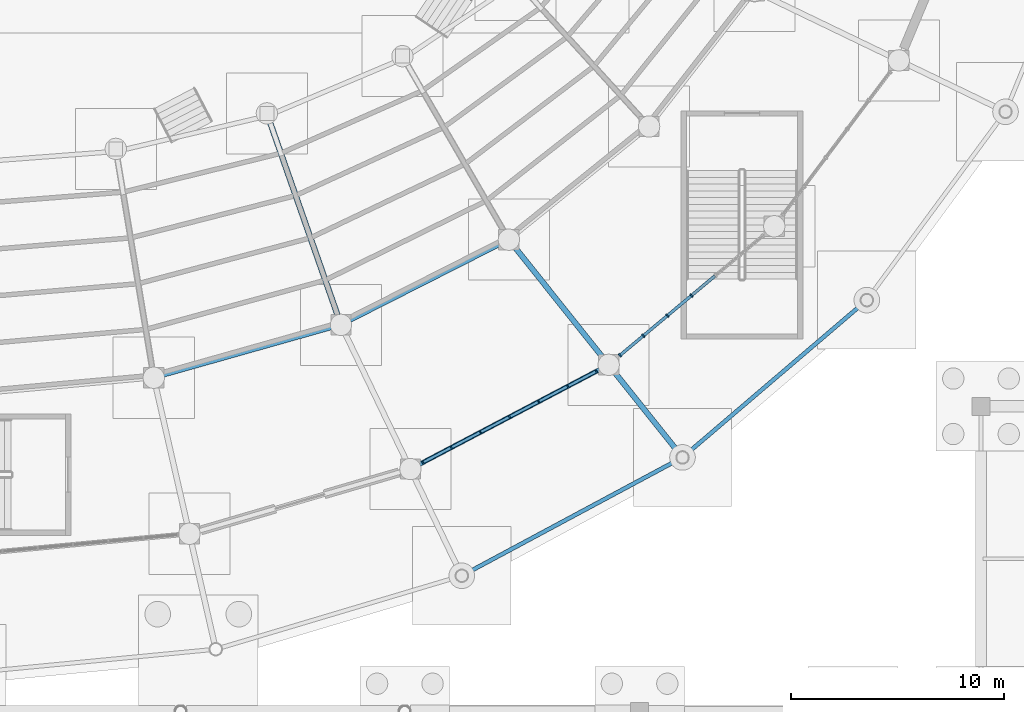
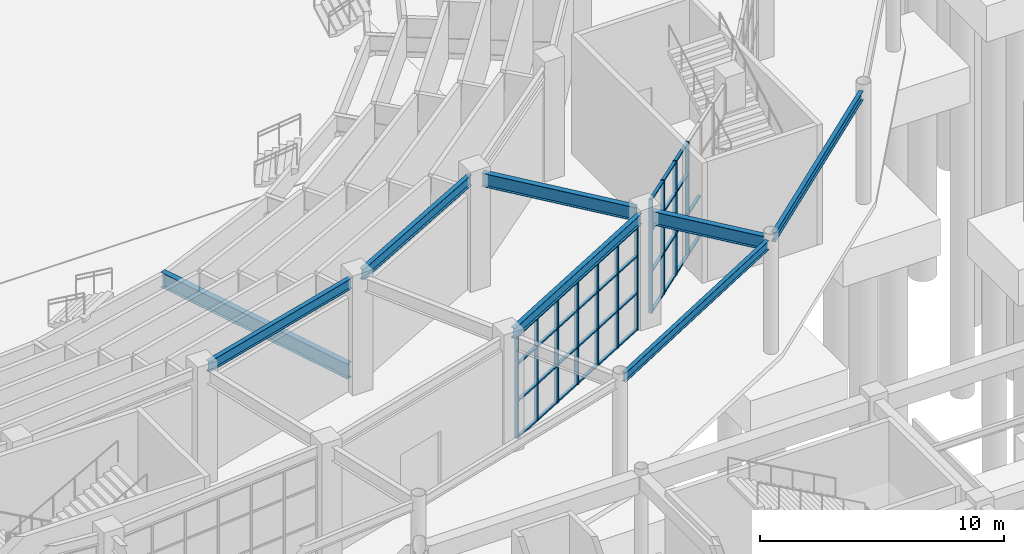
# One storey, part 35 of 121: 49 members, 8 beams, 2 elements without a shape of their own.
"""IFC4 building model written with IfcOpenShell, lengths in metres."""

from ifc_helpers import new_model, si_unit, direction, frame, origin, origin_2d, place, context, subcontext, project, spatial, rectangle, i_section, extrude, material, material_profile, profile_set, type_object, element, aggregate, save


model = new_model("IFC4")

# Units and contexts
model_context = context("Model", 3, precision=1e-05, world=origin(), true_north=direction((0.0, 1.0)))
body_context = subcontext(model_context, "Body", "Model", "MODEL_VIEW")
ifc_project = project(units=[si_unit("LENGTHUNIT", "METRE"), si_unit("AREAUNIT", "SQUARE_METRE"), si_unit("VOLUMEUNIT", "CUBIC_METRE"), si_unit("PLANEANGLEUNIT", "RADIAN"), si_unit("MASSUNIT", "GRAM", prefix="KILO")], contexts=[model_context])

# Site, building, storey
site_placement = place(None, origin())
site = spatial("IfcSite", under=ifc_project, at=site_placement, CompositionType="ELEMENT")
building_placement = place(site_placement, origin())
building = spatial("IfcBuilding", under=site, at=building_placement, Name="Cuetzalor Civic Arena", CompositionType="ELEMENT")
storey_placement = place(building_placement, origin())
storey = spatial("IfcBuildingStorey", under=building, at=storey_placement, Name="L00", CompositionType="ELEMENT", Elevation=0.0)

# Curtain wall, members
ifc_material_1 = material(Name="Anodised dark bronze aluminium and low-E solar glass", Category="aluminium")
curtain_wall_type_1 = type_object("IfcCurtainWallType", Name="UnitisedCW_9250x5150", PredefinedType="USERDEFINED", material=ifc_material_1)
curtain_wall_1_placement = place(storey_placement, origin())
curtain_wall_1 = element("IfcCurtainWall", 1, at=curtain_wall_1_placement, inside=storey, type_object=curtain_wall_type_1, Name="Drum Ground Recessed Concourse Curtain Wall L00-017", ObjectType="UNITISED CURTAIN WALL", PredefinedType="USERDEFINED")
ifc_material_2 = material(Name="Anodised dark bronze aluminium", Category="aluminium")
ifc_material_profile_1 = material_profile(ifc_material_2, rectangle(XDim=0.070068359375, YDim=0.179931640625, at=origin_2d()), Name="ALU MULLION 70x180")
ifc_profile_set_1 = profile_set([ifc_material_profile_1], Name="Anodised dark bronze aluminium")
member_type_1 = type_object("IfcMemberType", Name="CurtainWallMullion_65x180", PredefinedType="MULLION", material=ifc_profile_set_1)
member_1_placement = place(storey_placement, frame((29.968017578125, -32.361572265625, 0.0), z_axis=(0.0, 0.0, 1.0), x_axis=(-0.885118421147, -0.465365856662, 0.0)))
member_1 = element("IfcMember", 2, at=member_1_placement, type_object=member_type_1, Name="CW-04 mullion 1", PredefinedType="MULLION", context=body_context, shape_type="SweptSolid", body=[
    extrude(rectangle(XDim=0.070068359375, YDim=0.179931640625, at=origin_2d()), origin(), (0.0, 0.0, 1.0), 5.156982421875),
])
member_2_placement = place(storey_placement, frame((28.634521484375, -33.0625, 0.0), z_axis=(0.0, 0.0, 1.0), x_axis=(-0.885118421147, -0.465365856662, 0.0)))
member_2 = element("IfcMember", 3, at=member_2_placement, type_object=member_type_1, Name="CW-04 mullion 2", PredefinedType="MULLION", context=body_context, shape_type="SweptSolid", body=[
    extrude(rectangle(XDim=0.070068359375, YDim=0.179931640625, at=origin_2d()), origin(), (0.0, 0.0, 1.0), 5.156982421875),
])
member_3_placement = place(storey_placement, frame((27.27001953125, -33.780029296875, 0.0), z_axis=(0.0, 0.0, 1.0), x_axis=(-0.885118421147, -0.465365856662, 0.0)))
member_3 = element("IfcMember", 4, at=member_3_placement, type_object=member_type_1, Name="CW-04 mullion 3", PredefinedType="MULLION", context=body_context, shape_type="SweptSolid", body=[
    extrude(rectangle(XDim=0.070068359375, YDim=0.179931640625, at=origin_2d()), origin(), (0.0, 0.0, 1.0), 5.156982421875),
])
member_4_placement = place(storey_placement, frame((25.90576171875, -34.497314453125, 0.0), z_axis=(0.0, 0.0, 1.0), x_axis=(-0.885118421147, -0.465365856662, 0.0)))
member_4 = element("IfcMember", 5, at=member_4_placement, type_object=member_type_1, Name="CW-04 mullion 4", PredefinedType="MULLION", context=body_context, shape_type="SweptSolid", body=[
    extrude(rectangle(XDim=0.070068359375, YDim=0.179931640625, at=origin_2d()), origin(), (0.0, 0.0, 1.0), 5.156982421875),
])
member_5_placement = place(storey_placement, frame((24.541259765625, -35.21484375, 0.0), z_axis=(0.0, 0.0, 1.0), x_axis=(-0.885118421147, -0.465365856662, 0.0)))
member_5 = element("IfcMember", 6, at=member_5_placement, type_object=member_type_1, Name="CW-04 mullion 5", PredefinedType="MULLION", context=body_context, shape_type="SweptSolid", body=[
    extrude(rectangle(XDim=0.070068359375, YDim=0.179931640625, at=origin_2d()), origin(), (0.0, 0.0, 1.0), 5.156982421875),
])
member_6_placement = place(storey_placement, frame((23.1767578125, -35.93212890625, 0.0), z_axis=(0.0, 0.0, 1.0), x_axis=(-0.885118421147, -0.465365856662, 0.0)))
member_6 = element("IfcMember", 7, at=member_6_placement, type_object=member_type_1, Name="CW-04 mullion 6", PredefinedType="MULLION", context=body_context, shape_type="SweptSolid", body=[
    extrude(rectangle(XDim=0.070068359375, YDim=0.179931640625, at=origin_2d()), origin(), (0.0, 0.0, 1.0), 5.156982421875),
])
member_7_placement = place(storey_placement, frame((21.84326171875, -36.63330078125, 0.0), z_axis=(0.0, 0.0, 1.0), x_axis=(-0.885118421147, -0.465365856662, 0.0)))
member_7 = element("IfcMember", 8, at=member_7_placement, type_object=member_type_1, Name="CW-04 mullion 7", PredefinedType="MULLION", context=body_context, shape_type="SweptSolid", body=[
    extrude(rectangle(XDim=0.070068359375, YDim=0.179931640625, at=origin_2d()), origin(), (0.0, 0.0, 1.0), 5.156982421875),
])

ifc_material_3 = material(Name="Anodised dark bronze aluminium and low-E solar glass", Category="aluminium")
curtain_wall_type_2 = type_object("IfcCurtainWallType", Name="UnitisedCW_8800x5700", PredefinedType="USERDEFINED", material=ifc_material_3)
curtain_wall_2_placement = place(storey_placement, origin())
curtain_wall_2 = element("IfcCurtainWall", 9, at=curtain_wall_2_placement, inside=storey, type_object=curtain_wall_type_2, Name="Drum Ground Recessed Concourse Curtain Wall L00-018", ObjectType="UNITISED CURTAIN WALL", PredefinedType="USERDEFINED")
member_8_placement = place(storey_placement, frame((34.430419921875, -28.80908203125, 0.0), z_axis=(0.0, 0.0, 1.0), x_axis=(-0.766928030459, -0.641733119059, 0.0)))
member_8 = element("IfcMember", 10, at=member_8_placement, type_object=member_type_1, Name="CW-03 mullion 4", PredefinedType="MULLION", context=body_context, shape_type="SweptSolid", body=[
    extrude(rectangle(XDim=0.070068359375, YDim=0.179931640625, at=origin_2d()), origin(), (0.0, 0.0, 1.0), 5.699951171875),
])
member_9_placement = place(storey_placement, frame((33.3037109375, -29.751953125, 0.0), z_axis=(0.0, 0.0, 1.0), x_axis=(-0.766928030459, -0.641733119059, 0.0)))
member_9 = element("IfcMember", 11, at=member_9_placement, type_object=member_type_1, Name="CW-03 mullion 5", PredefinedType="MULLION", context=body_context, shape_type="SweptSolid", body=[
    extrude(rectangle(XDim=0.070068359375, YDim=0.179931640625, at=origin_2d()), origin(), (0.0, 0.0, 1.0), 5.699951171875),
])
member_10_placement = place(storey_placement, frame((32.177001953125, -30.694580078125, 0.0), z_axis=(0.0, 0.0, 1.0), x_axis=(-0.766928030459, -0.641733119059, 0.0)))
member_10 = element("IfcMember", 12, at=member_10_placement, type_object=member_type_1, Name="CW-03 mullion 6", PredefinedType="MULLION", context=body_context, shape_type="SweptSolid", body=[
    extrude(rectangle(XDim=0.070068359375, YDim=0.179931640625, at=origin_2d()), origin(), (0.0, 0.0, 1.0), 5.699951171875),
])
member_11_placement = place(storey_placement, frame((31.0771484375, -31.61474609375, 0.0), z_axis=(0.0, 0.0, 1.0), x_axis=(-0.766928030459, -0.641733119059, 0.0)))
member_11 = element("IfcMember", 13, at=member_11_placement, type_object=member_type_1, Name="CW-03 mullion 7", PredefinedType="MULLION", context=body_context, shape_type="SweptSolid", body=[
    extrude(rectangle(XDim=0.070068359375, YDim=0.179931640625, at=origin_2d()), origin(), (0.0, 0.0, 1.0), 5.699951171875),
])

# Member
ifc_material_4 = material(Name="Anodised dark bronze aluminium", Category="aluminium")
ifc_material_profile_2 = material_profile(ifc_material_4, rectangle(XDim=0.139892578125, YDim=0.070068359375, at=origin_2d()), Name="ALU TRANSOM 70x140")
ifc_profile_set_2 = profile_set([ifc_material_profile_2], Name="Anodised dark bronze aluminium")
member_type_2 = type_object("IfcMemberType", Name="CurtainWallTransom_65x140", PredefinedType="USERDEFINED", material=ifc_profile_set_2)
member_12_placement = place(storey_placement, frame((29.937255859375, -32.377685546875, 0.034912109375), z_axis=(-0.885098761997, -0.465403246134, 0.0), x_axis=(0.465403246134, -0.885098761997, 0.0)))
member_12 = element("IfcMember", 14, at=member_12_placement, type_object=member_type_2, Name="CW-04 transom 1.1", ObjectType="TRANSOM", PredefinedType="USERDEFINED", context=body_context, shape_type="SweptSolid", body=[
    extrude(rectangle(XDim=0.139892578125, YDim=0.070068359375, at=origin_2d()), origin(), (0.0, 0.0, 1.0), 1.436767578125),
])

member_13_placement = place(storey_placement, frame((29.937255859375, -32.377685546875, 1.85693359375), z_axis=(-0.885098761997, -0.465403246134, 0.0), x_axis=(0.465403246134, -0.885098761997, 0.0)))
member_13 = element("IfcMember", 15, at=member_13_placement, type_object=member_type_2, Name="CW-04 transom 1.2", ObjectType="TRANSOM", PredefinedType="USERDEFINED", context=body_context, shape_type="SweptSolid", body=[
    extrude(rectangle(XDim=0.139892578125, YDim=0.070068359375, at=origin_2d()), origin(), (0.0, 0.0, 1.0), 1.436767578125),
])

member_14_placement = place(storey_placement, frame((29.937255859375, -32.377685546875, 3.712890625), z_axis=(-0.885098761997, -0.465403246134, 0.0), x_axis=(0.465403246134, -0.885098761997, 0.0)))
member_14 = element("IfcMember", 16, at=member_14_placement, type_object=member_type_2, Name="CW-04 transom 1.3", ObjectType="TRANSOM", PredefinedType="USERDEFINED", context=body_context, shape_type="SweptSolid", body=[
    extrude(rectangle(XDim=0.139892578125, YDim=0.070068359375, at=origin_2d()), origin(), (0.0, 0.0, 1.0), 1.436767578125),
])

member_15_placement = place(storey_placement, frame((29.937255859375, -32.377685546875, 5.1220703125), z_axis=(-0.885098761997, -0.465403246134, 0.0), x_axis=(0.465403246134, -0.885098761997, 0.0)))
member_15 = element("IfcMember", 17, at=member_15_placement, type_object=member_type_2, Name="CW-04 transom 1.4", ObjectType="TRANSOM", PredefinedType="USERDEFINED", context=body_context, shape_type="SweptSolid", body=[
    extrude(rectangle(XDim=0.139892578125, YDim=0.070068359375, at=origin_2d()), origin(), (0.0, 0.0, 1.0), 1.436767578125),
])

member_16_placement = place(storey_placement, frame((28.603515625, -33.078857421875, 0.034912109375), z_axis=(-0.885116079734, -0.465370309963, 0.0), x_axis=(0.465370309963, -0.885116079734, 0.0)))
member_16 = element("IfcMember", 18, at=member_16_placement, type_object=member_type_2, Name="CW-04 transom 2.1", ObjectType="TRANSOM", PredefinedType="USERDEFINED", context=body_context, shape_type="SweptSolid", body=[
    extrude(rectangle(XDim=0.139892578125, YDim=0.070068359375, at=origin_2d()), origin(), (0.0, 0.0, 1.0), 1.471435546875),
])

member_17_placement = place(storey_placement, frame((28.603515625, -33.078857421875, 1.85693359375), z_axis=(-0.885116079734, -0.465370309963, 0.0), x_axis=(0.465370309963, -0.885116079734, 0.0)))
member_17 = element("IfcMember", 19, at=member_17_placement, type_object=member_type_2, Name="CW-04 transom 2.2", ObjectType="TRANSOM", PredefinedType="USERDEFINED", context=body_context, shape_type="SweptSolid", body=[
    extrude(rectangle(XDim=0.139892578125, YDim=0.070068359375, at=origin_2d()), origin(), (0.0, 0.0, 1.0), 1.471435546875),
])

member_18_placement = place(storey_placement, frame((28.603515625, -33.078857421875, 3.712890625), z_axis=(-0.885116079734, -0.465370309963, 0.0), x_axis=(0.465370309963, -0.885116079734, 0.0)))
member_18 = element("IfcMember", 20, at=member_18_placement, type_object=member_type_2, Name="CW-04 transom 2.3", ObjectType="TRANSOM", PredefinedType="USERDEFINED", context=body_context, shape_type="SweptSolid", body=[
    extrude(rectangle(XDim=0.139892578125, YDim=0.070068359375, at=origin_2d()), origin(), (0.0, 0.0, 1.0), 1.471435546875),
])

member_19_placement = place(storey_placement, frame((28.603515625, -33.078857421875, 5.1220703125), z_axis=(-0.885116079734, -0.465370309963, 0.0), x_axis=(0.465370309963, -0.885116079734, 0.0)))
member_19 = element("IfcMember", 21, at=member_19_placement, type_object=member_type_2, Name="CW-04 transom 2.4", ObjectType="TRANSOM", PredefinedType="USERDEFINED", context=body_context, shape_type="SweptSolid", body=[
    extrude(rectangle(XDim=0.139892578125, YDim=0.070068359375, at=origin_2d()), origin(), (0.0, 0.0, 1.0), 1.471435546875),
])

member_20_placement = place(storey_placement, frame((27.2392578125, -33.79638671875, 0.034912109375), z_axis=(-0.885152002312, -0.465301980226, 0.0), x_axis=(0.465301980226, -0.885152002312, 0.0)))
member_20 = element("IfcMember", 22, at=member_20_placement, type_object=member_type_2, Name="CW-04 transom 3.1", ObjectType="TRANSOM", PredefinedType="USERDEFINED", context=body_context, shape_type="SweptSolid", body=[
    extrude(rectangle(XDim=0.139892578125, YDim=0.070068359375, at=origin_2d()), origin(), (0.0, 0.0, 1.0), 1.4716796875),
])

member_21_placement = place(storey_placement, frame((27.2392578125, -33.79638671875, 1.85693359375), z_axis=(-0.885152002312, -0.465301980226, 0.0), x_axis=(0.465301980226, -0.885152002312, 0.0)))
member_21 = element("IfcMember", 23, at=member_21_placement, type_object=member_type_2, Name="CW-04 transom 3.2", ObjectType="TRANSOM", PredefinedType="USERDEFINED", context=body_context, shape_type="SweptSolid", body=[
    extrude(rectangle(XDim=0.139892578125, YDim=0.070068359375, at=origin_2d()), origin(), (0.0, 0.0, 1.0), 1.4716796875),
])

member_22_placement = place(storey_placement, frame((27.2392578125, -33.79638671875, 3.712890625), z_axis=(-0.885152002312, -0.465301980226, 0.0), x_axis=(0.465301980226, -0.885152002312, 0.0)))
member_22 = element("IfcMember", 24, at=member_22_placement, type_object=member_type_2, Name="CW-04 transom 3.3", ObjectType="TRANSOM", PredefinedType="USERDEFINED", context=body_context, shape_type="SweptSolid", body=[
    extrude(rectangle(XDim=0.139892578125, YDim=0.070068359375, at=origin_2d()), origin(), (0.0, 0.0, 1.0), 1.4716796875),
])

member_23_placement = place(storey_placement, frame((27.2392578125, -33.79638671875, 5.1220703125), z_axis=(-0.885152002312, -0.465301980226, 0.0), x_axis=(0.465301980226, -0.885152002312, 0.0)))
member_23 = element("IfcMember", 25, at=member_23_placement, type_object=member_type_2, Name="CW-04 transom 3.4", ObjectType="TRANSOM", PredefinedType="USERDEFINED", context=body_context, shape_type="SweptSolid", body=[
    extrude(rectangle(XDim=0.139892578125, YDim=0.070068359375, at=origin_2d()), origin(), (0.0, 0.0, 1.0), 1.4716796875),
])

member_24_placement = place(storey_placement, frame((25.874755859375, -34.513671875, 0.034912109375), z_axis=(-0.885116079734, -0.465370309963, 0.0), x_axis=(0.465370309963, -0.885116079734, 0.0)))
member_24 = element("IfcMember", 26, at=member_24_placement, type_object=member_type_2, Name="CW-04 transom 4.1", ObjectType="TRANSOM", PredefinedType="USERDEFINED", context=body_context, shape_type="SweptSolid", body=[
    extrude(rectangle(XDim=0.139892578125, YDim=0.070068359375, at=origin_2d()), origin(), (0.0, 0.0, 1.0), 1.471435546875),
])

member_25_placement = place(storey_placement, frame((25.874755859375, -34.513671875, 1.85693359375), z_axis=(-0.885116079734, -0.465370309963, 0.0), x_axis=(0.465370309963, -0.885116079734, 0.0)))
member_25 = element("IfcMember", 27, at=member_25_placement, type_object=member_type_2, Name="CW-04 transom 4.2", ObjectType="TRANSOM", PredefinedType="USERDEFINED", context=body_context, shape_type="SweptSolid", body=[
    extrude(rectangle(XDim=0.139892578125, YDim=0.070068359375, at=origin_2d()), origin(), (0.0, 0.0, 1.0), 1.471435546875),
])

member_26_placement = place(storey_placement, frame((25.874755859375, -34.513671875, 3.712890625), z_axis=(-0.885116079734, -0.465370309963, 0.0), x_axis=(0.465370309963, -0.885116079734, 0.0)))
member_26 = element("IfcMember", 28, at=member_26_placement, type_object=member_type_2, Name="CW-04 transom 4.3", ObjectType="TRANSOM", PredefinedType="USERDEFINED", context=body_context, shape_type="SweptSolid", body=[
    extrude(rectangle(XDim=0.139892578125, YDim=0.070068359375, at=origin_2d()), origin(), (0.0, 0.0, 1.0), 1.471435546875),
])

member_27_placement = place(storey_placement, frame((25.874755859375, -34.513671875, 5.1220703125), z_axis=(-0.885116079734, -0.465370309963, 0.0), x_axis=(0.465370309963, -0.885116079734, 0.0)))
member_27 = element("IfcMember", 29, at=member_27_placement, type_object=member_type_2, Name="CW-04 transom 4.4", ObjectType="TRANSOM", PredefinedType="USERDEFINED", context=body_context, shape_type="SweptSolid", body=[
    extrude(rectangle(XDim=0.139892578125, YDim=0.070068359375, at=origin_2d()), origin(), (0.0, 0.0, 1.0), 1.471435546875),
])

member_28_placement = place(storey_placement, frame((24.51025390625, -35.231201171875, 0.034912109375), z_axis=(-0.885116079734, -0.465370309963, 0.0), x_axis=(0.465370309963, -0.885116079734, 0.0)))
member_28 = element("IfcMember", 30, at=member_28_placement, type_object=member_type_2, Name="CW-04 transom 5.1", ObjectType="TRANSOM", PredefinedType="USERDEFINED", context=body_context, shape_type="SweptSolid", body=[
    extrude(rectangle(XDim=0.139892578125, YDim=0.070068359375, at=origin_2d()), origin(), (0.0, 0.0, 1.0), 1.471435546875),
])

member_29_placement = place(storey_placement, frame((24.51025390625, -35.231201171875, 1.85693359375), z_axis=(-0.885116079734, -0.465370309963, 0.0), x_axis=(0.465370309963, -0.885116079734, 0.0)))
member_29 = element("IfcMember", 31, at=member_29_placement, type_object=member_type_2, Name="CW-04 transom 5.2", ObjectType="TRANSOM", PredefinedType="USERDEFINED", context=body_context, shape_type="SweptSolid", body=[
    extrude(rectangle(XDim=0.139892578125, YDim=0.070068359375, at=origin_2d()), origin(), (0.0, 0.0, 1.0), 1.471435546875),
])

member_30_placement = place(storey_placement, frame((24.51025390625, -35.231201171875, 3.712890625), z_axis=(-0.885116079734, -0.465370309963, 0.0), x_axis=(0.465370309963, -0.885116079734, 0.0)))
member_30 = element("IfcMember", 32, at=member_30_placement, type_object=member_type_2, Name="CW-04 transom 5.3", ObjectType="TRANSOM", PredefinedType="USERDEFINED", context=body_context, shape_type="SweptSolid", body=[
    extrude(rectangle(XDim=0.139892578125, YDim=0.070068359375, at=origin_2d()), origin(), (0.0, 0.0, 1.0), 1.471435546875),
])

member_31_placement = place(storey_placement, frame((24.51025390625, -35.231201171875, 5.1220703125), z_axis=(-0.885116079734, -0.465370309963, 0.0), x_axis=(0.465370309963, -0.885116079734, 0.0)))
member_31 = element("IfcMember", 33, at=member_31_placement, type_object=member_type_2, Name="CW-04 transom 5.4", ObjectType="TRANSOM", PredefinedType="USERDEFINED", context=body_context, shape_type="SweptSolid", body=[
    extrude(rectangle(XDim=0.139892578125, YDim=0.070068359375, at=origin_2d()), origin(), (0.0, 0.0, 1.0), 1.471435546875),
])

member_32_placement = place(storey_placement, frame((23.145751953125, -35.948486328125, 0.034912109375), z_axis=(-0.885131956894, -0.465340110978, 0.0), x_axis=(0.465340110978, -0.885131956894, 0.0)))
member_32 = element("IfcMember", 34, at=member_32_placement, type_object=member_type_2, Name="CW-04 transom 6.1", ObjectType="TRANSOM", PredefinedType="USERDEFINED", context=body_context, shape_type="SweptSolid", body=[
    extrude(rectangle(XDim=0.139892578125, YDim=0.070068359375, at=origin_2d()), origin(), (0.0, 0.0, 1.0), 1.4365234375),
])

member_33_placement = place(storey_placement, frame((23.145751953125, -35.948486328125, 1.85693359375), z_axis=(-0.885131956894, -0.465340110978, 0.0), x_axis=(0.465340110978, -0.885131956894, 0.0)))
member_33 = element("IfcMember", 35, at=member_33_placement, type_object=member_type_2, Name="CW-04 transom 6.2", ObjectType="TRANSOM", PredefinedType="USERDEFINED", context=body_context, shape_type="SweptSolid", body=[
    extrude(rectangle(XDim=0.139892578125, YDim=0.070068359375, at=origin_2d()), origin(), (0.0, 0.0, 1.0), 1.4365234375),
])

member_34_placement = place(storey_placement, frame((23.145751953125, -35.948486328125, 3.712890625), z_axis=(-0.885131956894, -0.465340110978, 0.0), x_axis=(0.465340110978, -0.885131956894, 0.0)))
member_34 = element("IfcMember", 36, at=member_34_placement, type_object=member_type_2, Name="CW-04 transom 6.3", ObjectType="TRANSOM", PredefinedType="USERDEFINED", context=body_context, shape_type="SweptSolid", body=[
    extrude(rectangle(XDim=0.139892578125, YDim=0.070068359375, at=origin_2d()), origin(), (0.0, 0.0, 1.0), 1.4365234375),
])

member_35_placement = place(storey_placement, frame((23.145751953125, -35.948486328125, 5.1220703125), z_axis=(-0.885131956894, -0.465340110978, 0.0), x_axis=(0.465340110978, -0.885131956894, 0.0)))
member_35 = element("IfcMember", 37, at=member_35_placement, type_object=member_type_2, Name="CW-04 transom 6.4", ObjectType="TRANSOM", PredefinedType="USERDEFINED", context=body_context, shape_type="SweptSolid", body=[
    extrude(rectangle(XDim=0.139892578125, YDim=0.070068359375, at=origin_2d()), origin(), (0.0, 0.0, 1.0), 1.4365234375),
])

aggregate(curtain_wall_1, [member_1, member_2, member_3, member_4, member_5, member_6, member_7, member_12, member_13, member_14, member_15, member_16, member_17, member_18, member_19, member_20, member_21, member_22, member_23, member_24, member_25, member_26, member_27, member_28, member_29, member_30, member_31, member_32, member_33, member_34, member_35])

member_36_placement = place(storey_placement, frame((35.5302734375, -27.888916015625, 0.034912109375), z_axis=(-0.766975365209, -0.641676545591, 0.0), x_axis=(0.641676545591, -0.766975365209, 0.0)))
member_36 = element("IfcMember", 38, at=member_36_placement, type_object=member_type_2, Name="CW-03 transom 3.1", ObjectType="TRANSOM", PredefinedType="USERDEFINED", context=body_context, shape_type="SweptSolid", body=[
    extrude(rectangle(XDim=0.139892578125, YDim=0.070068359375, at=origin_2d()), origin(), (0.0, 0.0, 1.0), 1.39892578125),
])

member_37_placement = place(storey_placement, frame((35.5302734375, -27.888916015625, 2.052001953125), z_axis=(-0.766975365209, -0.641676545591, 0.0), x_axis=(0.641676545591, -0.766975365209, 0.0)))
member_37 = element("IfcMember", 39, at=member_37_placement, type_object=member_type_2, Name="CW-03 transom 3.2", ObjectType="TRANSOM", PredefinedType="USERDEFINED", context=body_context, shape_type="SweptSolid", body=[
    extrude(rectangle(XDim=0.139892578125, YDim=0.070068359375, at=origin_2d()), origin(), (0.0, 0.0, 1.0), 1.39892578125),
])

member_38_placement = place(storey_placement, frame((34.403564453125, -28.83154296875, 0.034912109375), z_axis=(-0.766889482405, -0.641779184593, 0.0), x_axis=(0.641779184593, -0.766889482405, 0.0)))
member_38 = element("IfcMember", 40, at=member_38_placement, type_object=member_type_2, Name="CW-03 transom 4.1", ObjectType="TRANSOM", PredefinedType="USERDEFINED", context=body_context, shape_type="SweptSolid", body=[
    extrude(rectangle(XDim=0.139892578125, YDim=0.070068359375, at=origin_2d()), origin(), (0.0, 0.0, 1.0), 1.399169921875),
])

member_39_placement = place(storey_placement, frame((34.403564453125, -28.83154296875, 2.052001953125), z_axis=(-0.766889482405, -0.641779184593, 0.0), x_axis=(0.641779184593, -0.766889482405, 0.0)))
member_39 = element("IfcMember", 41, at=member_39_placement, type_object=member_type_2, Name="CW-03 transom 4.2", ObjectType="TRANSOM", PredefinedType="USERDEFINED", context=body_context, shape_type="SweptSolid", body=[
    extrude(rectangle(XDim=0.139892578125, YDim=0.070068359375, at=origin_2d()), origin(), (0.0, 0.0, 1.0), 1.399169921875),
])

member_40_placement = place(storey_placement, frame((34.403564453125, -28.83154296875, 4.10400390625), z_axis=(-0.766889482405, -0.641779184593, 0.0), x_axis=(0.641779184593, -0.766889482405, 0.0)))
member_40 = element("IfcMember", 42, at=member_40_placement, type_object=member_type_2, Name="CW-03 transom 4.3", ObjectType="TRANSOM", PredefinedType="USERDEFINED", context=body_context, shape_type="SweptSolid", body=[
    extrude(rectangle(XDim=0.139892578125, YDim=0.070068359375, at=origin_2d()), origin(), (0.0, 0.0, 1.0), 1.399169921875),
])

member_41_placement = place(storey_placement, frame((34.403564453125, -28.83154296875, 5.6650390625), z_axis=(-0.766889482405, -0.641779184593, 0.0), x_axis=(0.641779184593, -0.766889482405, 0.0)))
member_41 = element("IfcMember", 43, at=member_41_placement, type_object=member_type_2, Name="CW-03 transom 4.4", ObjectType="TRANSOM", PredefinedType="USERDEFINED", context=body_context, shape_type="SweptSolid", body=[
    extrude(rectangle(XDim=0.139892578125, YDim=0.070068359375, at=origin_2d()), origin(), (0.0, 0.0, 1.0), 1.399169921875),
])

member_42_placement = place(storey_placement, frame((33.27685546875, -29.7744140625, 0.034912109375), z_axis=(-0.766975365209, -0.641676545591, 0.0), x_axis=(0.641676545591, -0.766975365209, 0.0)))
member_42 = element("IfcMember", 44, at=member_42_placement, type_object=member_type_2, Name="CW-03 transom 5.1", ObjectType="TRANSOM", PredefinedType="USERDEFINED", context=body_context, shape_type="SweptSolid", body=[
    extrude(rectangle(XDim=0.139892578125, YDim=0.070068359375, at=origin_2d()), origin(), (0.0, 0.0, 1.0), 1.39892578125),
])

member_43_placement = place(storey_placement, frame((33.27685546875, -29.7744140625, 2.052001953125), z_axis=(-0.766975365209, -0.641676545591, 0.0), x_axis=(0.641676545591, -0.766975365209, 0.0)))
member_43 = element("IfcMember", 45, at=member_43_placement, type_object=member_type_2, Name="CW-03 transom 5.2", ObjectType="TRANSOM", PredefinedType="USERDEFINED", context=body_context, shape_type="SweptSolid", body=[
    extrude(rectangle(XDim=0.139892578125, YDim=0.070068359375, at=origin_2d()), origin(), (0.0, 0.0, 1.0), 1.39892578125),
])

member_44_placement = place(storey_placement, frame((33.27685546875, -29.7744140625, 4.10400390625), z_axis=(-0.766975365209, -0.641676545591, 0.0), x_axis=(0.641676545591, -0.766975365209, 0.0)))
member_44 = element("IfcMember", 46, at=member_44_placement, type_object=member_type_2, Name="CW-03 transom 5.3", ObjectType="TRANSOM", PredefinedType="USERDEFINED", context=body_context, shape_type="SweptSolid", body=[
    extrude(rectangle(XDim=0.139892578125, YDim=0.070068359375, at=origin_2d()), origin(), (0.0, 0.0, 1.0), 1.39892578125),
])

member_45_placement = place(storey_placement, frame((33.27685546875, -29.7744140625, 5.6650390625), z_axis=(-0.766975365209, -0.641676545591, 0.0), x_axis=(0.641676545591, -0.766975365209, 0.0)))
member_45 = element("IfcMember", 47, at=member_45_placement, type_object=member_type_2, Name="CW-03 transom 5.4", ObjectType="TRANSOM", PredefinedType="USERDEFINED", context=body_context, shape_type="SweptSolid", body=[
    extrude(rectangle(XDim=0.139892578125, YDim=0.070068359375, at=origin_2d()), origin(), (0.0, 0.0, 1.0), 1.39892578125),
])

member_46_placement = place(storey_placement, frame((32.150146484375, -30.717041015625, 0.034912109375), z_axis=(-0.766972759582, -0.641679660001, 0.0), x_axis=(0.641679660001, -0.766972759582, 0.0)))
member_46 = element("IfcMember", 48, at=member_46_placement, type_object=member_type_2, Name="CW-03 transom 6.1", ObjectType="TRANSOM", PredefinedType="USERDEFINED", context=body_context, shape_type="SweptSolid", body=[
    extrude(rectangle(XDim=0.139892578125, YDim=0.070068359375, at=origin_2d()), origin(), (0.0, 0.0, 1.0), 1.364013671875),
])

member_47_placement = place(storey_placement, frame((32.150146484375, -30.717041015625, 2.052001953125), z_axis=(-0.766972759582, -0.641679660001, 0.0), x_axis=(0.641679660001, -0.766972759582, 0.0)))
member_47 = element("IfcMember", 49, at=member_47_placement, type_object=member_type_2, Name="CW-03 transom 6.2", ObjectType="TRANSOM", PredefinedType="USERDEFINED", context=body_context, shape_type="SweptSolid", body=[
    extrude(rectangle(XDim=0.139892578125, YDim=0.070068359375, at=origin_2d()), origin(), (0.0, 0.0, 1.0), 1.364013671875),
])

member_48_placement = place(storey_placement, frame((32.150146484375, -30.717041015625, 4.10400390625), z_axis=(-0.766972759582, -0.641679660001, 0.0), x_axis=(0.641679660001, -0.766972759582, 0.0)))
member_48 = element("IfcMember", 50, at=member_48_placement, type_object=member_type_2, Name="CW-03 transom 6.3", ObjectType="TRANSOM", PredefinedType="USERDEFINED", context=body_context, shape_type="SweptSolid", body=[
    extrude(rectangle(XDim=0.139892578125, YDim=0.070068359375, at=origin_2d()), origin(), (0.0, 0.0, 1.0), 1.364013671875),
])

member_49_placement = place(storey_placement, frame((32.150146484375, -30.717041015625, 5.6650390625), z_axis=(-0.766972759582, -0.641679660001, 0.0), x_axis=(0.641679660001, -0.766972759582, 0.0)))
member_49 = element("IfcMember", 51, at=member_49_placement, type_object=member_type_2, Name="CW-03 transom 6.4", ObjectType="TRANSOM", PredefinedType="USERDEFINED", context=body_context, shape_type="SweptSolid", body=[
    extrude(rectangle(XDim=0.139892578125, YDim=0.070068359375, at=origin_2d()), origin(), (0.0, 0.0, 1.0), 1.364013671875),
])

aggregate(curtain_wall_2, [member_8, member_9, member_10, member_11, member_36, member_37, member_38, member_39, member_40, member_41, member_42, member_43, member_44, member_45, member_46, member_47, member_48, member_49])

# Beams
ifc_material_5 = material(Name="Steel S355", Category="steel")
ifc_material_profile_3 = material_profile(ifc_material_5, i_section(OverallWidth=0.18994140625, OverallDepth=0.45703125, WebThickness=0.009033203125, FlangeThickness=0.014404296875, at=origin_2d()), Name="W460x74")
ifc_profile_set_3 = profile_set([ifc_material_profile_3], Name="Steel S355")
beam_type_1 = type_object("IfcBeamType", Name="FacadeSpandrelBeam_W460", PredefinedType="SPANDREL", material=ifc_profile_set_3)
beam_1_placement = place(storey_placement, frame((23.924072265625, -41.802978515625, 5.471435546875), z_axis=(0.881304552514, 0.472548712534, 0.0), x_axis=(-0.472548712534, 0.881304552514, 0.0)))
element("IfcBeam", 52, at=beam_1_placement, inside=storey, type_object=beam_type_1, Name="Drum Perimeter Spandrel L00-S24", PredefinedType="SPANDREL", context=body_context, shape_type="SweptSolid", body=[
    extrude(i_section(OverallWidth=0.18994140625, OverallDepth=0.45703125, WebThickness=0.009033203125, FlangeThickness=0.014404296875, at=origin_2d()), origin(), (0.0, 0.0, 1.0), 11.156005859375),
])
beam_2_placement = place(storey_placement, frame((34.23193359375, -36.2060546875, 5.471435546875), z_axis=(0.760676650628, 0.649130983076, 0.0), x_axis=(-0.649130983076, 0.760676650628, 0.0)))
element("IfcBeam", 53, at=beam_2_placement, inside=storey, type_object=beam_type_1, Name="Drum Perimeter Spandrel L00-S25", PredefinedType="SPANDREL", context=body_context, shape_type="SweptSolid", body=[
    extrude(i_section(OverallWidth=0.18994140625, OverallDepth=0.45703125, WebThickness=0.009033203125, FlangeThickness=0.014404296875, at=origin_2d()), origin(), (0.0, 0.0, 1.0), 10.77490234375),
])
ifc_material_6 = material(Name="Steel S355", Category="steel")
ifc_material_profile_4 = material_profile(ifc_material_6, i_section(OverallWidth=0.264892578125, OverallDepth=0.7529296875, WebThickness=0.01318359375, FlangeThickness=0.01708984375, at=origin_2d()), Name="W760x147")
ifc_profile_set_4 = profile_set([ifc_material_profile_4], Name="Steel S355")
beam_type_2 = type_object("IfcBeamType", Name="LowerBowlRakerBeam_W760", PredefinedType="USERDEFINED", material=ifc_profile_set_4)
beam_3_placement = place(storey_placement, frame((14.53515625, -20.271728515625, 0.6435546875), z_axis=(0.330548514314, -0.943789001676, 0.0), x_axis=(0.943789001676, 0.330548514314, 0.0)))
element("IfcBeam", 54, at=beam_3_placement, inside=storey, type_object=beam_type_2, Name="Lower Bowl Raker Beam R24", ObjectType="RAKER", PredefinedType="USERDEFINED", context=body_context, shape_type="SweptSolid", body=[
    extrude(i_section(OverallWidth=0.264892578125, OverallDepth=0.7529296875, WebThickness=0.01318359375, FlangeThickness=0.01708984375, at=origin_2d()), origin(), (0.0, 0.0, 1.0), 10.10107421875),
])
ifc_material_7 = material(Name="Steel S355", Category="steel")
ifc_material_profile_5 = material_profile(ifc_material_7, i_section(OverallWidth=0.208984375, OverallDepth=0.532958984375, WebThickness=0.01025390625, FlangeThickness=0.015625, at=origin_2d()), Name="W530x92")
ifc_profile_set_5 = profile_set([ifc_material_profile_5], Name="Steel S355")
beam_type_3 = type_object("IfcBeamType", Name="SteelCollarGirder_W530", PredefinedType="BEAM", material=ifc_profile_set_5)
beam_4_placement = place(storey_placement, frame((9.5810546875, -32.562255859375, 5.43359375), z_axis=(0.962353567102, 0.271800684117, 0.0), x_axis=(-0.271800684117, 0.962353567102, 0.0)))
element("IfcBeam", 55, at=beam_4_placement, inside=storey, type_object=beam_type_3, Name="Bowl Inner Ring Girder L00-S23", PredefinedType="BEAM", context=body_context, shape_type="SweptSolid", body=[
    extrude(i_section(OverallWidth=0.208984375, OverallDepth=0.532958984375, WebThickness=0.01025390625, FlangeThickness=0.015625, at=origin_2d()), origin(), (0.0, 0.0, 1.0), 8.394775390625),
])
beam_5_placement = place(storey_placement, frame((21.587890625, -36.767578125, 5.43359375), z_axis=(0.885117354883, 0.465367884673, 0.0), x_axis=(-0.465367884673, 0.885117354883, 0.0)))
element("IfcBeam", 56, at=beam_5_placement, inside=storey, type_object=beam_type_3, Name="Drum Concourse Ring Girder L00-S24", PredefinedType="BEAM", context=body_context, shape_type="SweptSolid", body=[
    extrude(i_section(OverallWidth=0.208984375, OverallDepth=0.532958984375, WebThickness=0.01025390625, FlangeThickness=0.015625, at=origin_2d()), origin(), (0.0, 0.0, 1.0), 9.75634765625),
])
beam_6_placement = place(storey_placement, frame((18.327392578125, -30.019775390625, 5.43359375), z_axis=(0.89182706622, 0.452376484754, 0.0), x_axis=(-0.452376484754, 0.89182706622, 0.0)))
element("IfcBeam", 57, at=beam_6_placement, inside=storey, type_object=beam_type_3, Name="Bowl Inner Ring Girder L00-S24", PredefinedType="BEAM", context=body_context, shape_type="SweptSolid", body=[
    extrude(i_section(OverallWidth=0.208984375, OverallDepth=0.532958984375, WebThickness=0.01025390625, FlangeThickness=0.015625, at=origin_2d()), origin(), (0.0, 0.0, 1.0), 8.102783203125),
])
ifc_material_8 = material(Name="Steel S355", Category="steel")
ifc_material_profile_6 = material_profile(ifc_material_8, i_section(OverallWidth=0.2529296875, OverallDepth=0.677978515625, WebThickness=0.01171875, FlangeThickness=0.016357421875, at=origin_2d()), Name="W690x125")
ifc_profile_set_6 = profile_set([ifc_material_profile_6], Name="Steel S355")
beam_type_4 = type_object("IfcBeamType", Name="SteelPrimaryGirder_W690", PredefinedType="BEAM", material=ifc_profile_set_6)
beam_7_placement = place(storey_placement, frame((30.775390625, -32.336669921875, 5.361083984375), z_axis=(0.623515538789, -0.781810957258, 0.0), x_axis=(0.781810957258, 0.623515538789, 0.0)))
element("IfcBeam", 58, at=beam_7_placement, inside=storey, type_object=beam_type_4, Name="Drum Radial Girder L00-R25", PredefinedType="BEAM", context=body_context, shape_type="SweptSolid", body=[
    extrude(i_section(OverallWidth=0.2529296875, OverallDepth=0.677978515625, WebThickness=0.01171875, FlangeThickness=0.016357421875, at=origin_2d()), origin(), (0.0, 0.0, 1.0), 4.89990234375),
])
beam_8_placement = place(storey_placement, frame((26.099365234375, -26.472900390625, 5.361083984375), z_axis=(0.623473464464, -0.781844510826, 0.0), x_axis=(0.781844510826, 0.623473464464, 0.0)))
element("IfcBeam", 59, at=beam_8_placement, inside=storey, type_object=beam_type_4, Name="Drum Inner Radial Girder L00-R25", PredefinedType="BEAM", context=body_context, shape_type="SweptSolid", body=[
    extrude(i_section(OverallWidth=0.2529296875, OverallDepth=0.677978515625, WebThickness=0.01171875, FlangeThickness=0.016357421875, at=origin_2d()), origin(), (0.0, 0.0, 1.0), 6.77978515625),
])

save(model, "model.ifc")
